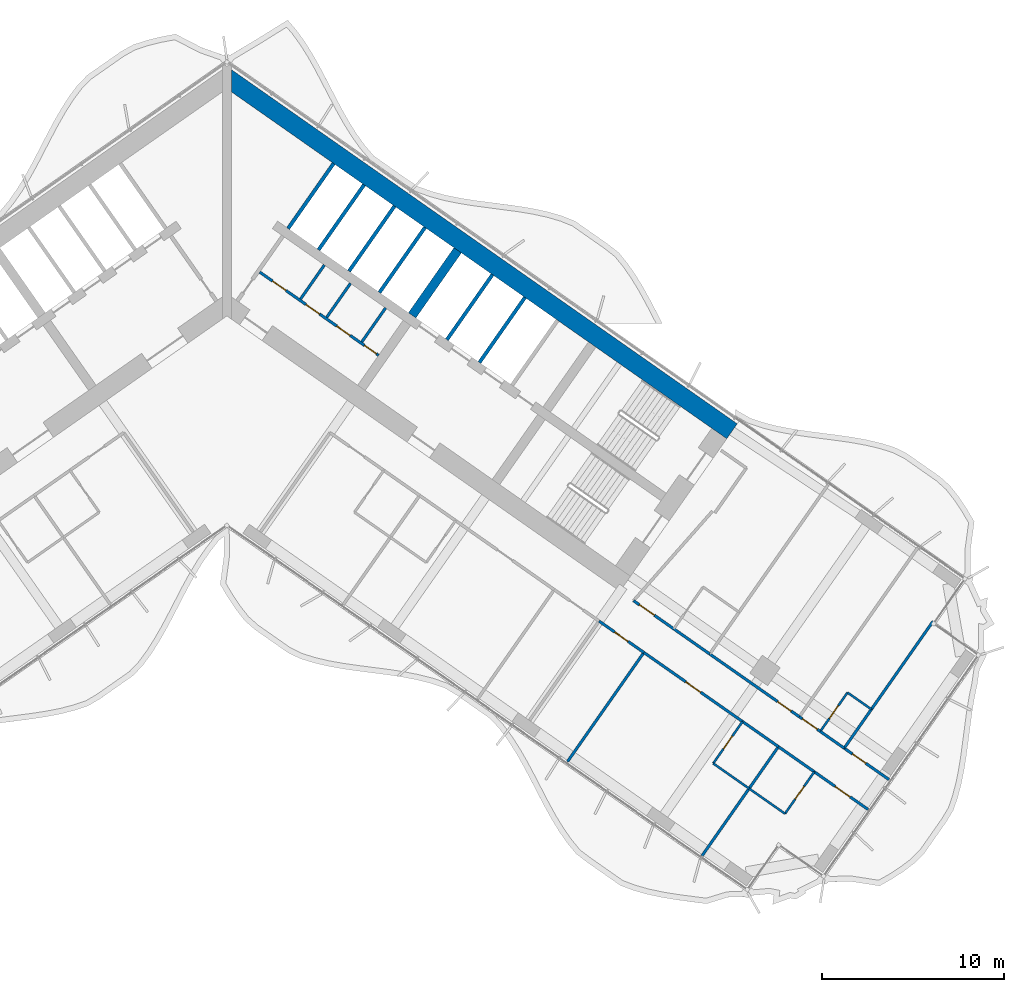
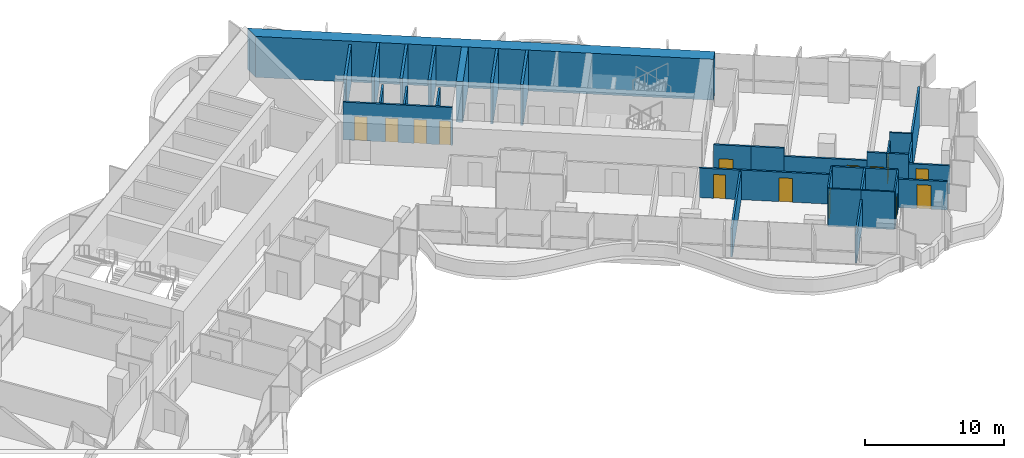
# One storey, part 15 of 23: 34 walls, 14 doors, 14 openings.
"""IFC4 building model written with IfcOpenShell, lengths in metres."""

from ifc_helpers import new_model, si_unit, direction, frame, frame_2d, origin, place, context, subcontext, project, spatial, polyline, rectangle, outline, extrude, material, layer, layer_set, type_object, element, fill, save


model = new_model("IFC4")

# Units and contexts
model_context = context("Model", 3, precision=1e-05, world=origin(), true_north=direction((0.0, 1.0)))
body_context = subcontext(model_context, "Body", "Model", "MODEL_VIEW")
ifc_project = project(units=[si_unit("LENGTHUNIT", "METRE"), si_unit("AREAUNIT", "SQUARE_METRE"), si_unit("VOLUMEUNIT", "CUBIC_METRE"), si_unit("PLANEANGLEUNIT", "RADIAN"), si_unit("MASSUNIT", "GRAM", prefix="KILO")], contexts=[model_context])

# Site, building, storey
site_placement = place(None, origin())
site = spatial("IfcSite", under=ifc_project, at=site_placement, CompositionType="ELEMENT")
building_placement = place(site_placement, origin())
building = spatial("IfcBuilding", under=site, at=building_placement, Name="Tel Ilan Convention Tower", CompositionType="ELEMENT")
storey_placement = place(building_placement, frame((0.0, 0.0, 79.699951171875)))
storey = spatial("IfcBuildingStorey", under=building, at=storey_placement, Name="L15", CompositionType="ELEMENT", Elevation=79.699951171875)

# Wall, openings, doors
ifc_material_1 = material(Name="Gypsum Plasterboard on Steel Stud", Category="steel")
ifc_layer_1 = layer(ifc_material_1, 0.14990234375)
ifc_layer_set_1 = layer_set([ifc_layer_1], Name="Core Room Partition Wall 150 mm EI 60")
wall_type_1 = type_object("IfcWallType", Name="Core Room Partition Wall 150 mm EI 60", PredefinedType="PARTITIONING", material=ifc_layer_set_1)
wall_1_placement = place(storey_placement, frame((1.802490234375, 1.179443359375, 0.0), z_axis=(0.0, 0.0, 1.0), x_axis=(0.819142461705, -0.573590121456, 0.0)))
wall_1 = element("IfcWall", 1, at=wall_1_placement, inside=storey, type_object=wall_type_1, Name="L15 core wall wc-h1", PredefinedType="PARTITIONING", context=body_context, shape_type="SweptSolid", body=[
    extrude(rectangle(XDim=7.949951171875, YDim=0.14990234375, at=frame_2d((3.97509765625, 0.0))), origin(), (0.0, 0.0, 1.0), 3.320068359375),
])
opening_1_placement = place(wall_1_placement, frame((0.85009765625, 0.0, 0.0)))
opening_1 = element("IfcOpeningElement", 2, at=opening_1_placement, cuts=wall_1, Name="Opening CD1511", PredefinedType="OPENING", context=body_context, shape_type="SweptSolid", body=[
    extrude(rectangle(XDim=0.89990234375, YDim=2.10009765625, at=frame_2d((0.449951171875, 1.050048828125))), frame((0.0, 0.0849609375, 0.0), z_axis=(0.0, -1.0, 0.0), x_axis=(1.0, 0.0, 0.0)), (0.0, 0.0, 1.0), 0.169921875),
])
opening_2_placement = place(wall_1_placement, frame((3.10009765625, 0.0, 0.0)))
opening_2 = element("IfcOpeningElement", 3, at=opening_2_placement, cuts=wall_1, Name="Opening CD1508", PredefinedType="OPENING", context=body_context, shape_type="SweptSolid", body=[
    extrude(rectangle(XDim=0.89990234375, YDim=2.10009765625, at=frame_2d((0.449951171875, 1.050048828125))), frame((0.0, 0.0849609375, 0.0), z_axis=(0.0, -1.0, 0.0), x_axis=(1.0, 0.0, 0.0)), (0.0, 0.0, 1.0), 0.169921875),
])
opening_3_placement = place(wall_1_placement, frame((5.14990234375, 0.0, 0.0)))
opening_3 = element("IfcOpeningElement", 4, at=opening_3_placement, cuts=wall_1, Name="Opening CD1510", PredefinedType="OPENING", context=body_context, shape_type="SweptSolid", body=[
    extrude(rectangle(XDim=0.89990234375, YDim=2.10009765625, at=frame_2d((0.449951171875, 1.050048828125))), frame((0.0, 0.0849609375, 0.0), z_axis=(0.0, -1.0, 0.0), x_axis=(1.0, 0.0, 0.0)), (0.0, 0.0, 1.0), 0.169921875),
])
opening_4_placement = place(wall_1_placement, frame((7.0, 0.0, 0.0)))
opening_4 = element("IfcOpeningElement", 5, at=opening_4_placement, cuts=wall_1, Name="Opening CD1509", PredefinedType="OPENING", context=body_context, shape_type="SweptSolid", body=[
    extrude(rectangle(XDim=0.800048828125, YDim=2.10009765625, at=frame_2d((0.39990234375, 1.050048828125))), frame((0.0, 0.0849609375, 0.0), z_axis=(0.0, -1.0, 0.0), x_axis=(1.0, 0.0, 0.0)), (0.0, 0.0, 1.0), 0.169921875),
])
ifc_material_2 = material(Name="Galvanised Steel Door Leaf", Category="steel")
door_type_1 = type_object("IfcDoorType", Name="Store Door 800 x 2100 FD60", OperationType="NOTDEFINED", PredefinedType="DOOR", material=ifc_material_2)
door_1_placement = place(opening_4_placement, origin())
door_1 = element("IfcDoor", 6, at=door_1_placement, inside=storey, type_object=door_type_1, Name="Cleaner's store door", OperationType="SINGLE_SWING_RIGHT", OverallHeight=2.10009765625, OverallWidth=0.800048828125, PredefinedType="DOOR", context=body_context, shape_type="SweptSolid", body=[
    extrude(rectangle(XDim=0.800048828125, YDim=2.10009765625, at=frame_2d((0.39990234375, 1.050048828125))), frame((0.0, 0.02490234375, 0.0), z_axis=(0.0, -1.0, 0.0), x_axis=(1.0, 0.0, 0.0)), (0.0, 0.0, 1.0), 0.050048828125),
])
fill(opening_4, door_1)
ifc_material_3 = material(Name="Laminated Timber Door Leaf", Category="wood")
door_type_2 = type_object("IfcDoorType", Name="Toilet Door 900 x 2100 FD30S", OperationType="NOTDEFINED", PredefinedType="DOOR", material=ifc_material_3)
door_2_placement = place(opening_1_placement, origin())
door_2 = element("IfcDoor", 7, at=door_2_placement, inside=storey, type_object=door_type_2, Name="Women's WC door", OperationType="SINGLE_SWING_RIGHT", OverallHeight=2.10009765625, OverallWidth=0.89990234375, PredefinedType="DOOR", context=body_context, shape_type="SweptSolid", body=[
    extrude(rectangle(XDim=0.89990234375, YDim=2.10009765625, at=frame_2d((0.449951171875, 1.050048828125))), frame((0.0, 0.02490234375, 0.0), z_axis=(0.0, -1.0, 0.0), x_axis=(1.0, 0.0, 0.0)), (0.0, 0.0, 1.0), 0.050048828125),
])
fill(opening_1, door_2)
door_3_placement = place(opening_2_placement, origin())
door_3 = element("IfcDoor", 8, at=door_3_placement, inside=storey, type_object=door_type_2, Name="Accessible WC door", OperationType="SINGLE_SWING_RIGHT", OverallHeight=2.10009765625, OverallWidth=0.89990234375, PredefinedType="DOOR", context=body_context, shape_type="SweptSolid", body=[
    extrude(rectangle(XDim=0.89990234375, YDim=2.10009765625, at=frame_2d((0.449951171875, 1.050048828125))), frame((0.0, 0.02490234375, 0.0), z_axis=(0.0, -1.0, 0.0), x_axis=(1.0, 0.0, 0.0)), (0.0, 0.0, 1.0), 0.050048828125),
])
fill(opening_2, door_3)
door_4_placement = place(opening_3_placement, origin())
door_4 = element("IfcDoor", 9, at=door_4_placement, inside=storey, type_object=door_type_2, Name="Men's WC door", OperationType="SINGLE_SWING_RIGHT", OverallHeight=2.10009765625, OverallWidth=0.89990234375, PredefinedType="DOOR", context=body_context, shape_type="SweptSolid", body=[
    extrude(rectangle(XDim=0.89990234375, YDim=2.10009765625, at=frame_2d((0.449951171875, 1.050048828125))), frame((0.0, 0.02490234375, 0.0), z_axis=(0.0, -1.0, 0.0), x_axis=(1.0, 0.0, 0.0)), (0.0, 0.0, 1.0), 0.050048828125),
])
fill(opening_3, door_4)

# Walls
for number, where, z_axis, x_axis, name in (
    (10, (4.03662109375, -0.29345703125, 0.0), (0.0, 0.0, 1.0), (0.573599181114, 0.819136117764, 0.0), "L15 core wall wc-v0"),
    (11, (5.47021484375, -1.297119140625, 0.0), (0.0, 0.0, 1.0), (0.573599181114, 0.819136117764, 0.0), "L15 core wall wc-v1"),
    (12, (7.395263671875, -2.64501953125, 0.0), (0.0, 0.0, 1.0), (0.573599181114, 0.819136117764, 0.0), "L15 core wall wc-v2"),
):
    element("IfcWall", number, at=place(storey_placement, frame(where, z_axis=z_axis, x_axis=x_axis)), inside=storey, type_object=wall_type_1, Name=name, PredefinedType="PARTITIONING", context=body_context, shape_type="SweptSolid", body=[
        extrude(rectangle(XDim=2.27490234375, YDim=0.14990234375, at=frame_2d((1.137451171875, 0.0))), origin(), (0.0, 0.0, 1.0), 3.320068359375),
    ])
ifc_material_4 = material(Name="Concrete C30/37", Category="concrete")
ifc_layer_2 = layer(ifc_material_4, 0.199951171875)
ifc_layer_set_2 = layer_set([ifc_layer_2], Name="Core Service Room Wall 200 mm C30/37")
wall_type_2 = type_object("IfcWallType", Name="Core Service Room Wall 200 mm C30/37", PredefinedType="SOLIDWALL", material=ifc_layer_set_2)
wall_2_placement = place(storey_placement, frame((3.355224609375, 3.5712890625, 0.0), z_axis=(0.0, 0.0, 1.0), x_axis=(0.57356780395, 0.819158088694, 0.0)))
element("IfcWall", 13, at=wall_2_placement, inside=storey, type_object=wall_type_2, Name="L15 core wall apex-E-b", PredefinedType="SOLIDWALL", context=body_context, shape_type="SweptSolid", body=[
    extrude(rectangle(XDim=4.35009765625, YDim=0.199951171875, at=frame_2d((2.175048828125, 0.0))), origin(), (0.0, 0.0, 1.0), 3.320068359375),
])
ifc_material_5 = material(Name="Concrete C60/75", Category="concrete")
ifc_layer_3 = layer(ifc_material_5, 1.0)
ifc_layer_set_3 = layer_set([ifc_layer_3], Name="Core Shear Wall 1000 mm C60/75")
wall_type_3 = type_object("IfcWallType", Name="Core Shear Wall 1000 mm C60/75", PredefinedType="SHEAR", material=ifc_layer_set_3)
wall_3_placement = place(storey_placement, frame((-0.036865234375, 11.8671875, 0.0), z_axis=(0.0, 0.0, 1.0), x_axis=(0.819155306259, -0.573571777746, 0.0)))
element("IfcWall", 14, at=wall_3_placement, inside=storey, type_object=wall_type_3, Name="L15 core wall E-back", PredefinedType="SHEAR", context=body_context, shape_type="SweptSolid", body=[
    extrude(outline(polyline([(33.8369140625, 0.5), (0.0, 0.5), (0.7001953125, -0.499755859375), (33.8369140625, -0.5), (33.8369140625, 0.5)])), origin(), (0.0, 0.0, 1.0), 3.60009765625),
])
ifc_material_6 = material(Name="Concrete C60/75", Category="concrete")
ifc_layer_4 = layer(ifc_material_6, 0.5)
ifc_layer_set_4 = layer_set([ifc_layer_4], Name="Core Shear Wall 500 mm C60/75")
wall_type_4 = type_object("IfcWallType", Name="Core Shear Wall 500 mm C60/75", PredefinedType="SHEAR", material=ifc_layer_set_4)
wall_4_placement = place(storey_placement, frame((10.154296875, -1.189208984375, 0.0), z_axis=(0.0, 0.0, 1.0), x_axis=(0.573594173421, 0.819139624372, 0.0)))
element("IfcWall", 15, at=wall_4_placement, inside=storey, type_object=wall_type_4, Name="L15 core wall E-cross1-2", PredefinedType="SHEAR", context=body_context, shape_type="SweptSolid", body=[
    extrude(outline(polyline([(4.349853515625, -0.25), (4.349853515625, 0.25), (-0.000244140625, 0.25), (-0.000244140625, -0.25), (4.349853515625, -0.25)])), origin(), (0.0, 0.0, 1.0), 3.60009765625),
])

# Wall, opening, door
ifc_material_7 = material(Name="Plasterboard on Steel Studs", Category="steel")
ifc_layer_5 = layer(ifc_material_7, 0.14990234375)
ifc_layer_set_5 = layer_set([ifc_layer_5], Name="Fire-rated Partition 150 EI 60")
wall_type_5 = type_object("IfcWallType", Name="Fire-rated Partition 150 EI 60", PredefinedType="PARTITIONING", material=ifc_layer_set_5)
wall_5_placement = place(storey_placement, frame((22.28369140625, -16.823974609375, 0.0), z_axis=(0.0, 0.0, 1.0), x_axis=(0.819176640776, -0.573541307325, 0.0)))
wall_5 = element("IfcWall", 16, at=wall_5_placement, inside=storey, type_object=wall_type_5, Name="Partition 001", PredefinedType="PARTITIONING", context=body_context, shape_type="SweptSolid", body=[
    extrude(rectangle(XDim=2.697509765625, YDim=0.14990234375, at=frame_2d((1.3486328125, 0.0))), origin(), (0.0, 0.0, 1.0), 3.320068359375),
])
opening_5_placement = place(wall_5_placement, frame((0.396240234375, 0.0, 0.0)))
opening_5 = element("IfcOpeningElement", 17, at=opening_5_placement, cuts=wall_5, Name="Opening L15-031", PredefinedType="OPENING", context=body_context, shape_type="SweptSolid", body=[
    extrude(rectangle(XDim=1.0, YDim=2.10009765625, at=frame_2d((0.5, 1.050048828125))), frame((0.0, 0.0849609375, 0.0), z_axis=(0.0, -1.0, 0.0), x_axis=(1.0, 0.0, 0.0)), (0.0, 0.0, 1.0), 0.169921875),
])
ifc_material_8 = material(Name="Timber Door Leaf in Steel Frame", Category="steel")
door_type_3 = type_object("IfcDoorType", Name="Hotel Room Entrance Fire Door 1000x2100", OperationType="NOTDEFINED", PredefinedType="DOOR", material=ifc_material_8)
door_5_placement = place(opening_5_placement, origin())
door_5 = element("IfcDoor", 18, at=door_5_placement, inside=storey, type_object=door_type_3, Name="Door L15-031", OperationType="SINGLE_SWING_LEFT", OverallHeight=2.10009765625, OverallWidth=1.0, PredefinedType="DOOR", context=body_context, shape_type="SweptSolid", body=[
    extrude(rectangle(XDim=1.0, YDim=2.10009765625, at=frame_2d((0.5, 1.050048828125))), frame((0.0, 0.02490234375, 0.0), z_axis=(0.0, -1.0, 0.0), x_axis=(1.0, 0.0, 0.0)), (0.0, 0.0, 1.0), 0.050048828125),
])
fill(opening_5, door_5)

# Wall
wall_6_placement = place(storey_placement, frame((24.49072265625, -18.369384765625, 0.0), z_axis=(0.0, 0.0, 1.0), x_axis=(0.819179439794, -0.573537309527, 0.0)))
element("IfcWall", 19, at=wall_6_placement, inside=storey, type_object=wall_type_5, Name="Partition 002", PredefinedType="PARTITIONING", context=body_context, shape_type="SweptSolid", body=[
    extrude(rectangle(XDim=2.404296875, YDim=0.14990234375, at=frame_2d((1.2021484375, 0.0))), origin(), (0.0, 0.0, 1.0), 3.320068359375),
])

# Wall, opening, door
wall_7_placement = place(storey_placement, frame((26.456787109375, -19.74609375, 0.0), z_axis=(0.0, 0.0, 1.0), x_axis=(0.819165052243, -0.573557858619, 0.0)))
wall_7 = element("IfcWall", 20, at=wall_7_placement, inside=storey, type_object=wall_type_5, Name="Partition 003", PredefinedType="PARTITIONING", context=body_context, shape_type="SweptSolid", body=[
    extrude(rectangle(XDim=6.00390625, YDim=0.14990234375, at=frame_2d((3.001953125, 0.0))), origin(), (0.0, 0.0, 1.0), 2.60009765625),
])
opening_6_placement = place(wall_7_placement, frame((4.552001953125, 0.0, 0.0)))
opening_6 = element("IfcOpeningElement", 21, at=opening_6_placement, cuts=wall_7, Name="Opening L15-032", PredefinedType="OPENING", context=body_context, shape_type="SweptSolid", body=[
    extrude(rectangle(XDim=0.89990234375, YDim=2.10009765625, at=frame_2d((0.449951171875, 1.050048828125))), frame((0.0, 0.0849609375, 0.0), z_axis=(0.0, -1.0, 0.0), x_axis=(1.0, 0.0, 0.0)), (0.0, 0.0, 1.0), 0.169921875),
])
ifc_material_9 = material(Name="Timber Door Leaf in Steel Frame", Category="steel")
door_type_4 = type_object("IfcDoorType", Name="Room Fire Door 900x2100", OperationType="NOTDEFINED", PredefinedType="DOOR", material=ifc_material_9)
door_6_placement = place(opening_6_placement, origin())
door_6 = element("IfcDoor", 22, at=door_6_placement, inside=storey, type_object=door_type_4, Name="Door L15-032", OperationType="SINGLE_SWING_RIGHT", OverallHeight=2.10009765625, OverallWidth=0.89990234375, PredefinedType="DOOR", context=body_context, shape_type="SweptSolid", body=[
    extrude(rectangle(XDim=0.89990234375, YDim=2.10009765625, at=frame_2d((0.449951171875, 1.050048828125))), frame((0.0, 0.02490234375, 0.0), z_axis=(0.0, -1.0, 0.0), x_axis=(1.0, 0.0, 0.0)), (0.0, 0.0, 1.0), 0.050048828125),
])
fill(opening_6, door_6)

wall_8_placement = place(storey_placement, frame((31.37158203125, -23.1875, 0.0), z_axis=(0.0, 0.0, 1.0), x_axis=(0.819199220913, -0.573509055252, 0.0)))
wall_8 = element("IfcWall", 23, at=wall_8_placement, inside=storey, type_object=wall_type_5, Name="Partition 004", PredefinedType="PARTITIONING", context=body_context, shape_type="SweptSolid", body=[
    extrude(rectangle(XDim=1.403076171875, YDim=0.14990234375, at=frame_2d((0.70166015625, 0.0))), origin(), (0.0, 0.0, 1.0), 3.320068359375),
])
opening_7_placement = place(wall_8_placement, frame((0.201904296875, 0.0, 0.0)))
opening_7 = element("IfcOpeningElement", 24, at=opening_7_placement, cuts=wall_8, Name="Opening L15-034", PredefinedType="OPENING", context=body_context, shape_type="SweptSolid", body=[
    extrude(rectangle(XDim=1.0, YDim=2.10009765625, at=frame_2d((0.5, 1.050048828125))), frame((0.0, 0.0849609375, 0.0), z_axis=(0.0, -1.0, 0.0), x_axis=(1.0, 0.0, 0.0)), (0.0, 0.0, 1.0), 0.169921875),
])
door_7_placement = place(opening_7_placement, origin())
door_7 = element("IfcDoor", 25, at=door_7_placement, inside=storey, type_object=door_type_3, Name="Door L15-034", OperationType="SINGLE_SWING_LEFT", OverallHeight=2.10009765625, OverallWidth=1.0, PredefinedType="DOOR", context=body_context, shape_type="SweptSolid", body=[
    extrude(rectangle(XDim=1.0, YDim=2.10009765625, at=frame_2d((0.5, 1.050048828125))), frame((0.0, 0.02490234375, 0.0), z_axis=(0.0, -1.0, 0.0), x_axis=(1.0, 0.0, 0.0)), (0.0, 0.0, 1.0), 0.050048828125),
])
fill(opening_7, door_7)

# Wall
wall_9_placement = place(storey_placement, frame((32.5185546875, -23.990478515625, 0.0), z_axis=(0.0, 0.0, 1.0), x_axis=(0.819189013667, -0.573523634986, 0.0)))
element("IfcWall", 26, at=wall_9_placement, inside=storey, type_object=wall_type_5, Name="Partition 005", PredefinedType="PARTITIONING", context=body_context, shape_type="SweptSolid", body=[
    extrude(rectangle(XDim=1.60400390625, YDim=0.14990234375, at=frame_2d((0.802001953125, 0.0))), origin(), (0.0, 0.0, 1.0), 3.320068359375),
])

# Wall, opening, door
wall_10_placement = place(storey_placement, frame((33.8291015625, -24.908203125, 0.0), z_axis=(0.0, 0.0, 1.0), x_axis=(0.81915932427, -0.57356603932, 0.0)))
wall_10 = element("IfcWall", 27, at=wall_10_placement, inside=storey, type_object=wall_type_5, Name="Partition 006", PredefinedType="PARTITIONING", context=body_context, shape_type="SweptSolid", body=[
    extrude(rectangle(XDim=3.002197265625, YDim=0.14990234375, at=frame_2d((1.5009765625, 0.0))), origin(), (0.0, 0.0, 1.0), 2.5),
])
opening_8_placement = place(wall_10_placement, frame((0.551025390625, 0.0, 0.0)))
opening_8 = element("IfcOpeningElement", 28, at=opening_8_placement, cuts=wall_10, Name="Opening L15-035", PredefinedType="OPENING", context=body_context, shape_type="SweptSolid", body=[
    extrude(rectangle(XDim=0.89990234375, YDim=2.10009765625, at=frame_2d((0.449951171875, 1.050048828125))), frame((0.0, 0.0849609375, 0.0), z_axis=(0.0, -1.0, 0.0), x_axis=(1.0, 0.0, 0.0)), (0.0, 0.0, 1.0), 0.169921875),
])
door_8_placement = place(opening_8_placement, origin())
door_8 = element("IfcDoor", 29, at=door_8_placement, inside=storey, type_object=door_type_4, Name="Door L15-035", OperationType="SINGLE_SWING_LEFT", OverallHeight=2.10009765625, OverallWidth=0.89990234375, PredefinedType="DOOR", context=body_context, shape_type="SweptSolid", body=[
    extrude(rectangle(XDim=0.89990234375, YDim=2.10009765625, at=frame_2d((0.449951171875, 1.050048828125))), frame((0.0, 0.02490234375, 0.0), z_axis=(0.0, -1.0, 0.0), x_axis=(1.0, 0.0, 0.0)), (0.0, 0.0, 1.0), 0.050048828125),
])
fill(opening_8, door_8)

wall_11_placement = place(storey_placement, frame((22.85546875, -19.666015625, 0.0), z_axis=(0.0, 0.0, 1.0), x_axis=(-0.819128818764, 0.573609604409, 0.0)))
wall_11 = element("IfcWall", 30, at=wall_11_placement, inside=storey, type_object=wall_type_5, Name="Partition 012", PredefinedType="PARTITIONING", context=body_context, shape_type="SweptSolid", body=[
    extrude(rectangle(XDim=3.004150390625, YDim=0.14990234375, at=frame_2d((1.501953125, 0.0))), origin(), (0.0, 0.0, 1.0), 2.60009765625),
])
opening_9_placement = place(wall_11_placement, frame((1.052001953125, 0.0, 0.0)))
opening_9 = element("IfcOpeningElement", 31, at=opening_9_placement, cuts=wall_11, Name="Opening L15-025", PredefinedType="OPENING", context=body_context, shape_type="SweptSolid", body=[
    extrude(rectangle(XDim=0.89990234375, YDim=2.10009765625, at=frame_2d((0.449951171875, 1.050048828125))), frame((0.0, 0.0849609375, 0.0), z_axis=(0.0, -1.0, 0.0), x_axis=(1.0, 0.0, 0.0)), (0.0, 0.0, 1.0), 0.169921875),
])
door_9_placement = place(opening_9_placement, origin())
door_9 = element("IfcDoor", 32, at=door_9_placement, inside=storey, type_object=door_type_4, Name="Door L15-025", OperationType="SINGLE_SWING_RIGHT", OverallHeight=2.10009765625, OverallWidth=0.89990234375, PredefinedType="DOOR", context=body_context, shape_type="SweptSolid", body=[
    extrude(rectangle(XDim=0.89990234375, YDim=2.10009765625, at=frame_2d((0.449951171875, 1.050048828125))), frame((0.0, 0.02490234375, 0.0), z_axis=(0.0, -1.0, 0.0), x_axis=(1.0, 0.0, 0.0)), (0.0, 0.0, 1.0), 0.050048828125),
])
fill(opening_9, door_9)

wall_12_placement = place(storey_placement, frame((28.260986328125, -23.450927734375, 0.0), z_axis=(0.0, 0.0, 1.0), x_axis=(-0.819141582452, 0.573591377113, 0.0)))
wall_12 = element("IfcWall", 33, at=wall_12_placement, inside=storey, type_object=wall_type_5, Name="Partition 013", PredefinedType="PARTITIONING", context=body_context, shape_type="SweptSolid", body=[
    extrude(rectangle(XDim=6.602783203125, YDim=0.14990234375, at=frame_2d((3.30126953125, 0.0))), origin(), (0.0, 0.0, 1.0), 2.60009765625),
])
opening_10_placement = place(wall_12_placement, frame((2.801025390625, 0.0, 0.0)))
opening_10 = element("IfcOpeningElement", 34, at=opening_10_placement, cuts=wall_12, Name="Opening L15-027", PredefinedType="OPENING", context=body_context, shape_type="SweptSolid", body=[
    extrude(rectangle(XDim=1.0, YDim=2.10009765625, at=frame_2d((0.5, 1.050048828125))), frame((0.0, 0.0849609375, 0.0), z_axis=(0.0, -1.0, 0.0), x_axis=(1.0, 0.0, 0.0)), (0.0, 0.0, 1.0), 0.169921875),
])
door_10_placement = place(opening_10_placement, origin())
door_10 = element("IfcDoor", 35, at=door_10_placement, inside=storey, type_object=door_type_3, Name="Door L15-027", OperationType="SINGLE_SWING_RIGHT", OverallHeight=2.10009765625, OverallWidth=1.0, PredefinedType="DOOR", context=body_context, shape_type="SweptSolid", body=[
    extrude(rectangle(XDim=1.0, YDim=2.10009765625, at=frame_2d((0.5, 1.050048828125))), frame((0.0, 0.02490234375, 0.0), z_axis=(0.0, -1.0, 0.0), x_axis=(1.0, 0.0, 0.0)), (0.0, 0.0, 1.0), 0.050048828125),
])
fill(opening_10, door_10)

# Wall
wall_13_placement = place(storey_placement, frame((30.227783203125, -24.828125, 0.0), z_axis=(0.0, 0.0, 1.0), x_axis=(-0.819146032251, 0.573585022335, 0.0)))
element("IfcWall", 36, at=wall_13_placement, inside=storey, type_object=wall_type_5, Name="Partition 014", PredefinedType="PARTITIONING", context=body_context, shape_type="SweptSolid", body=[
    extrude(rectangle(XDim=2.404052734375, YDim=0.14990234375, at=frame_2d((1.2021484375, 0.0))), origin(), (0.0, 0.0, 1.0), 3.320068359375),
])

# Wall, opening, door
wall_14_placement = place(storey_placement, frame((35.14111328125, -28.268310546875, 0.0), z_axis=(0.0, 0.0, 1.0), x_axis=(-0.819149096931, 0.573580645591, 0.0)))
wall_14 = element("IfcWall", 37, at=wall_14_placement, inside=storey, type_object=wall_type_5, Name="Partition 015", PredefinedType="PARTITIONING", context=body_context, shape_type="SweptSolid", body=[
    extrude(rectangle(XDim=3.600830078125, YDim=0.14990234375, at=frame_2d((1.80029296875, 0.0))), origin(), (0.0, 0.0, 1.0), 2.5),
])
opening_11_placement = place(wall_14_placement, frame((1.199951171875, 0.0, 0.0)))
opening_11 = element("IfcOpeningElement", 38, at=opening_11_placement, cuts=wall_14, Name="Opening L15-029", PredefinedType="OPENING", context=body_context, shape_type="SweptSolid", body=[
    extrude(rectangle(XDim=1.0, YDim=2.10009765625, at=frame_2d((0.5, 1.050048828125))), frame((0.0, 0.0849609375, 0.0), z_axis=(0.0, -1.0, 0.0), x_axis=(1.0, 0.0, 0.0)), (0.0, 0.0, 1.0), 0.169921875),
])
door_11_placement = place(opening_11_placement, origin())
door_11 = element("IfcDoor", 39, at=door_11_placement, inside=storey, type_object=door_type_3, Name="Door L15-029", OperationType="SINGLE_SWING_RIGHT", OverallHeight=2.10009765625, OverallWidth=1.0, PredefinedType="DOOR", context=body_context, shape_type="SweptSolid", body=[
    extrude(rectangle(XDim=1.0, YDim=2.10009765625, at=frame_2d((0.5, 1.050048828125))), frame((0.0, 0.02490234375, 0.0), z_axis=(0.0, -1.0, 0.0), x_axis=(1.0, 0.0, 0.0)), (0.0, 0.0, 1.0), 0.050048828125),
])
fill(opening_11, door_11)

# Walls
wall_15_placement = place(storey_placement, frame((32.19384765625, -26.20458984375, 0.0), z_axis=(0.0, 0.0, 1.0), x_axis=(-0.819146032251, 0.573585022335, 0.0)))
element("IfcWall", 40, at=wall_15_placement, inside=storey, type_object=wall_type_5, Name="Partition 016", PredefinedType="PARTITIONING", context=body_context, shape_type="SweptSolid", body=[
    extrude(rectangle(XDim=2.404052734375, YDim=0.14990234375, at=frame_2d((1.2021484375, 0.0))), origin(), (0.0, 0.0, 1.0), 3.320068359375),
])
wall_16_placement = place(storey_placement, frame((38.70751953125, -17.94482421875, 0.0), z_axis=(0.0, 0.0, 1.0), x_axis=(-0.573573403315, -0.819154168035, 0.0)))
element("IfcWall", 41, at=wall_16_placement, inside=storey, type_object=wall_type_5, Name="Partition 046", PredefinedType="PARTITIONING", context=body_context, shape_type="SweptSolid", body=[
    extrude(rectangle(XDim=5.901123046875, YDim=0.14990234375, at=frame_2d((2.95068359375, 0.0))), origin(), (0.0, 0.0, 1.0), 3.320068359375),
])
wall_17_placement = place(storey_placement, frame((35.322021484375, -22.779541015625, 0.0), z_axis=(0.0, 0.0, 1.0), x_axis=(-0.573537965655, -0.819178980414, 0.0)))
element("IfcWall", 42, at=wall_17_placement, inside=storey, type_object=wall_type_5, Name="Partition 047", PredefinedType="PARTITIONING", context=body_context, shape_type="SweptSolid", body=[
    extrude(rectangle(XDim=2.60009765625, YDim=0.14990234375, at=frame_2d((1.300048828125, 0.0))), origin(), (0.0, 0.0, 1.0), 2.60009765625),
])
wall_18_placement = place(storey_placement, frame((22.853759765625, -19.664794921875, 0.0), z_axis=(0.0, 0.0, 1.0), x_axis=(-0.573572324301, -0.819154923562, 0.0)))
element("IfcWall", 43, at=wall_18_placement, inside=storey, type_object=wall_type_5, Name="Partition 057", PredefinedType="PARTITIONING", context=body_context, shape_type="SweptSolid", body=[
    extrude(rectangle(XDim=7.2998046875, YDim=0.14990234375, at=frame_2d((3.64990234375, 0.0))), origin(), (0.0, 0.0, 1.0), 2.5),
])
wall_19_placement = place(storey_placement, frame((28.61962890625, -27.121337890625, 0.0), z_axis=(0.0, 0.0, 1.0), x_axis=(-0.573589807488, -0.819142681555, 0.0)))
element("IfcWall", 44, at=wall_19_placement, inside=storey, type_object=wall_type_5, Name="Partition 060", PredefinedType="PARTITIONING", context=body_context, shape_type="SweptSolid", body=[
    extrude(rectangle(XDim=4.4990234375, YDim=0.14990234375, at=frame_2d((2.24951171875, 0.0))), origin(), (0.0, 0.0, 1.0), 2.5),
])
wall_20_placement = place(storey_placement, frame((30.226318359375, -24.826904296875, 0.0), z_axis=(0.0, 0.0, 1.0), x_axis=(-0.573608623498, -0.819129505664, 0.0)))
element("IfcWall", 45, at=wall_20_placement, inside=storey, type_object=wall_type_5, Name="Partition 061", PredefinedType="PARTITIONING", context=body_context, shape_type="SweptSolid", body=[
    extrude(rectangle(XDim=2.800048828125, YDim=0.14990234375, at=frame_2d((1.39990234375, 0.0))), origin(), (0.0, 0.0, 1.0), 3.320068359375),
])
ifc_material_10 = material(Name="Concrete C30/37", Category="concrete")
ifc_layer_6 = layer(ifc_material_10, 0.199951171875)
ifc_layer_set_6 = layer_set([ifc_layer_6], Name="Lift Shaft Wall 200 mm C30/37")
wall_type_6 = type_object("IfcWallType", Name="Lift Shaft Wall 200 mm C30/37", PredefinedType="SOLIDWALL", material=ifc_layer_set_6)
wall_21_placement = place(storey_placement, frame((5.0244140625, 2.402587890625, 0.0), z_axis=(0.0, 0.0, 1.0), x_axis=(0.573530143085, 0.819184457233, 0.0)))
element("IfcWall", 46, at=wall_21_placement, inside=storey, type_object=wall_type_6, Name="L15 core wall bank-E1-p0", PredefinedType="SOLIDWALL", context=body_context, shape_type="SweptSolid", body=[
    extrude(rectangle(XDim=4.35009765625, YDim=0.199951171875, at=frame_2d((2.175048828125, 0.0))), origin(), (0.0, 0.0, 1.0), 3.60009765625),
])
for number, where, z_axis, x_axis, name in (
    (47, (6.693359375, 1.234130859375, 0.0), (0.0, 0.0, 1.0), (0.573594173421, 0.819139624372, 0.0), "L15 core wall bank-E1-p1"),
    (48, (8.3623046875, 0.0654296875, 0.0), (0.0, 0.0, 1.0), (0.573594173421, 0.819139624372, 0.0), "L15 core wall bank-E1-p2"),
    (49, (12.05859375, -2.52294921875, 0.0), (0.0, 0.0, 1.0), (0.573594173421, 0.819139624372, 0.0), "L15 core wall bank-E2-p0"),
):
    element("IfcWall", number, at=place(storey_placement, frame(where, z_axis=z_axis, x_axis=x_axis)), inside=storey, type_object=wall_type_6, Name=name, PredefinedType="SOLIDWALL", context=body_context, shape_type="SweptSolid", body=[
        extrude(rectangle(XDim=4.349853515625, YDim=0.199951171875, at=frame_2d((2.1748046875, 0.0))), origin(), (0.0, 0.0, 1.0), 3.60009765625),
    ])
wall_22_placement = place(storey_placement, frame((13.84033203125, -3.7705078125, 0.0), z_axis=(0.0, 0.0, 1.0), x_axis=(0.57356780395, 0.819158088694, 0.0)))
element("IfcWall", 50, at=wall_22_placement, inside=storey, type_object=wall_type_6, Name="L15 core wall bank-E2-p1", PredefinedType="SOLIDWALL", context=body_context, shape_type="SweptSolid", body=[
    extrude(rectangle(XDim=4.35009765625, YDim=0.199951171875, at=frame_2d((2.175048828125, 0.0))), origin(), (0.0, 0.0, 1.0), 3.60009765625),
])
ifc_material_11 = material(Name="Plasterboard on Steel Studs", Category="steel")
ifc_layer_7 = layer(ifc_material_11, 0.1201171875)
ifc_layer_set_7 = layer_set([ifc_layer_7], Name="Moisture-resistant Partition 120")
wall_type_7 = type_object("IfcWallType", Name="Moisture-resistant Partition 120", PredefinedType="PARTITIONING", material=ifc_layer_set_7)
wall_23_placement = place(storey_placement, frame((35.32275390625, -22.77880859375, 0.0), z_axis=(0.0, 0.0, 1.0), x_axis=(-0.81918174131, 0.573534022273, 0.0)))
element("IfcWall", 51, at=wall_23_placement, inside=storey, type_object=wall_type_7, Name="Partition 044", PredefinedType="PARTITIONING", context=body_context, shape_type="SweptSolid", body=[
    extrude(rectangle(XDim=1.60009765625, YDim=0.1201171875, at=frame_2d((0.800048828125, 0.0))), origin(), (0.0, 0.0, 1.0), 3.320068359375),
])

# Wall, opening, door
wall_24_placement = place(storey_placement, frame((34.010498046875, -21.861328125, 0.0), z_axis=(0.0, 0.0, 1.0), x_axis=(-0.573537965655, -0.819178980414, 0.0)))
wall_24 = element("IfcWall", 52, at=wall_24_placement, inside=storey, type_object=wall_type_7, Name="Partition 045", PredefinedType="PARTITIONING", context=body_context, shape_type="SweptSolid", body=[
    extrude(rectangle(XDim=2.60009765625, YDim=0.1201171875, at=frame_2d((1.300048828125, 0.0))), origin(), (0.0, 0.0, 1.0), 2.60009765625),
])
opening_12_placement = place(wall_24_placement, frame((0.875, 0.0, 0.0)))
opening_12 = element("IfcOpeningElement", 53, at=opening_12_placement, cuts=wall_24, Name="Opening L15-033", PredefinedType="OPENING", context=body_context, shape_type="SweptSolid", body=[
    extrude(rectangle(XDim=0.85009765625, YDim=2.050048828125, at=frame_2d((0.425048828125, 1.02490234375))), frame((0.0, 0.070068359375, 0.0), z_axis=(0.0, -1.0, 0.0), x_axis=(1.0, 0.0, 0.0)), (0.0, 0.0, 1.0), 0.14013671875),
])
ifc_material_12 = material(Name="Timber Door Leaf in Steel Frame", Category="steel")
door_type_5 = type_object("IfcDoorType", Name="Bathroom Timber Door 850x2050", OperationType="NOTDEFINED", PredefinedType="DOOR", material=ifc_material_12)
door_12_placement = place(opening_12_placement, origin())
door_12 = element("IfcDoor", 54, at=door_12_placement, inside=storey, type_object=door_type_5, Name="Door L15-033", OperationType="SINGLE_SWING_RIGHT", OverallHeight=2.050048828125, OverallWidth=0.85009765625, PredefinedType="DOOR", context=body_context, shape_type="SweptSolid", body=[
    extrude(rectangle(XDim=0.85009765625, YDim=2.050048828125, at=frame_2d((0.425048828125, 1.02490234375))), frame((0.0, 0.02490234375, 0.0), z_axis=(0.0, -1.0, 0.0), x_axis=(1.0, 0.0, 0.0)), (0.0, 0.0, 1.0), 0.050048828125),
])
fill(opening_12, door_12)

wall_25_placement = place(storey_placement, frame((28.259521484375, -23.44970703125, 0.0), z_axis=(0.0, 0.0, 1.0), x_axis=(-0.573608623498, -0.819129505664, 0.0)))
wall_25 = element("IfcWall", 55, at=wall_25_placement, inside=storey, type_object=wall_type_7, Name="Partition 058", PredefinedType="PARTITIONING", context=body_context, shape_type="SweptSolid", body=[
    extrude(rectangle(XDim=2.800048828125, YDim=0.1201171875, at=frame_2d((1.39990234375, 0.0))), origin(), (0.0, 0.0, 1.0), 3.320068359375),
])
opening_13_placement = place(wall_25_placement, frame((0.97509765625, 0.0, 0.0)))
opening_13 = element("IfcOpeningElement", 56, at=opening_13_placement, cuts=wall_25, Name="Opening L15-026", PredefinedType="OPENING", context=body_context, shape_type="SweptSolid", body=[
    extrude(rectangle(XDim=0.85009765625, YDim=2.050048828125, at=frame_2d((0.425048828125, 1.02490234375))), frame((0.0, 0.070068359375, 0.0), z_axis=(0.0, -1.0, 0.0), x_axis=(1.0, 0.0, 0.0)), (0.0, 0.0, 1.0), 0.14013671875),
])
door_13_placement = place(opening_13_placement, origin())
door_13 = element("IfcDoor", 57, at=door_13_placement, inside=storey, type_object=door_type_5, Name="Door L15-026", OperationType="SINGLE_SWING_RIGHT", OverallHeight=2.050048828125, OverallWidth=0.85009765625, PredefinedType="DOOR", context=body_context, shape_type="SweptSolid", body=[
    extrude(rectangle(XDim=0.85009765625, YDim=2.050048828125, at=frame_2d((0.425048828125, 1.02490234375))), frame((0.0, 0.02490234375, 0.0), z_axis=(0.0, -1.0, 0.0), x_axis=(1.0, 0.0, 0.0)), (0.0, 0.0, 1.0), 0.050048828125),
])
fill(opening_13, door_13)

# Walls
wall_26_placement = place(storey_placement, frame((26.653564453125, -25.744873046875, 0.0), z_axis=(0.0, 0.0, 1.0), x_axis=(0.819188907105, -0.573523787192, 0.0)))
element("IfcWall", 58, at=wall_26_placement, inside=storey, type_object=wall_type_7, Name="Partition 059", PredefinedType="PARTITIONING", context=body_context, shape_type="SweptSolid", body=[
    extrude(rectangle(XDim=2.39990234375, YDim=0.1201171875, at=frame_2d((1.199951171875, 0.0))), origin(), (0.0, 0.0, 1.0), 3.320068359375),
])
wall_27_placement = place(storey_placement, frame((28.61962890625, -27.121337890625, 0.0), z_axis=(0.0, 0.0, 1.0), x_axis=(0.819141114317, -0.573592045652, 0.0)))
element("IfcWall", 59, at=wall_27_placement, inside=storey, type_object=wall_type_7, Name="Partition 062", PredefinedType="PARTITIONING", context=body_context, shape_type="SweptSolid", body=[
    extrude(rectangle(XDim=2.400146484375, YDim=0.1201171875, at=frame_2d((1.2001953125, 0.0))), origin(), (0.0, 0.0, 1.0), 3.320068359375),
])

# Wall, opening, door
wall_28_placement = place(storey_placement, frame((30.5869140625, -28.497802734375, 0.0), z_axis=(0.0, 0.0, 1.0), x_axis=(0.573608623498, 0.819129505664, 0.0)))
wall_28 = element("IfcWall", 60, at=wall_28_placement, inside=storey, type_object=wall_type_7, Name="Partition 063", PredefinedType="PARTITIONING", context=body_context, shape_type="SweptSolid", body=[
    extrude(rectangle(XDim=2.800048828125, YDim=0.1201171875, at=frame_2d((1.39990234375, 0.0))), origin(), (0.0, 0.0, 1.0), 3.320068359375),
])
opening_14_placement = place(wall_28_placement, frame((0.97509765625, 0.0, 0.0)))
opening_14 = element("IfcOpeningElement", 61, at=opening_14_placement, cuts=wall_28, Name="Opening L15-028", PredefinedType="OPENING", context=body_context, shape_type="SweptSolid", body=[
    extrude(rectangle(XDim=0.85009765625, YDim=2.050048828125, at=frame_2d((0.425048828125, 1.02490234375))), frame((0.0, 0.070068359375, 0.0), z_axis=(0.0, -1.0, 0.0), x_axis=(1.0, 0.0, 0.0)), (0.0, 0.0, 1.0), 0.14013671875),
])
door_14_placement = place(opening_14_placement, origin())
door_14 = element("IfcDoor", 62, at=door_14_placement, inside=storey, type_object=door_type_5, Name="Door L15-028", OperationType="SINGLE_SWING_RIGHT", OverallHeight=2.050048828125, OverallWidth=0.85009765625, PredefinedType="DOOR", context=body_context, shape_type="SweptSolid", body=[
    extrude(rectangle(XDim=0.85009765625, YDim=2.050048828125, at=frame_2d((0.425048828125, 1.02490234375))), frame((0.0, 0.02490234375, 0.0), z_axis=(0.0, -1.0, 0.0), x_axis=(1.0, 0.0, 0.0)), (0.0, 0.0, 1.0), 0.050048828125),
])
fill(opening_14, door_14)

save(model, "model.ifc")
